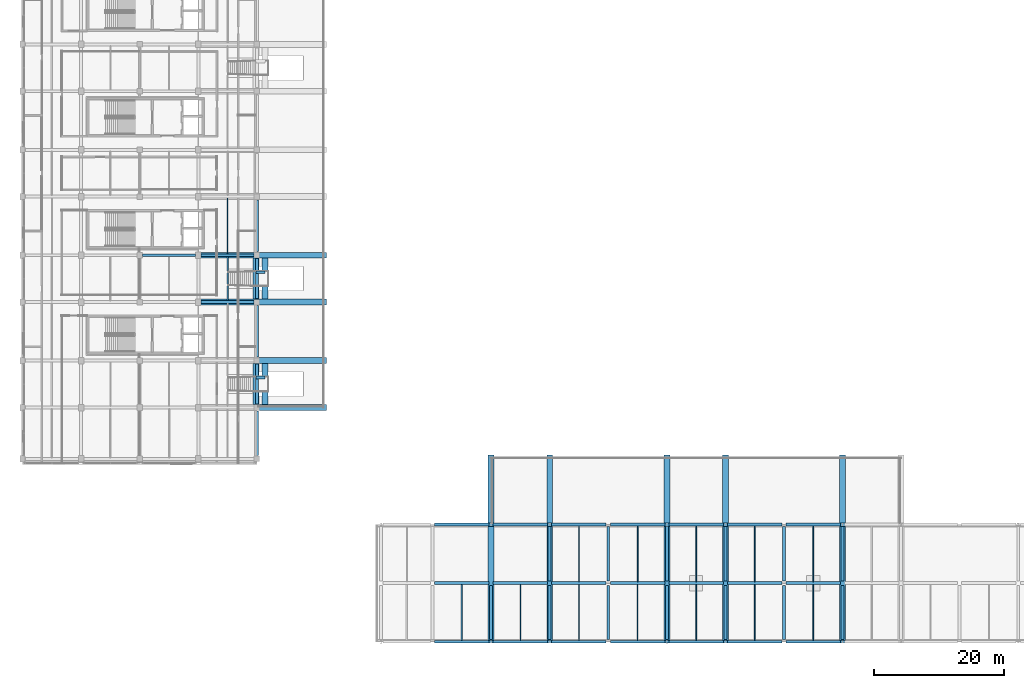
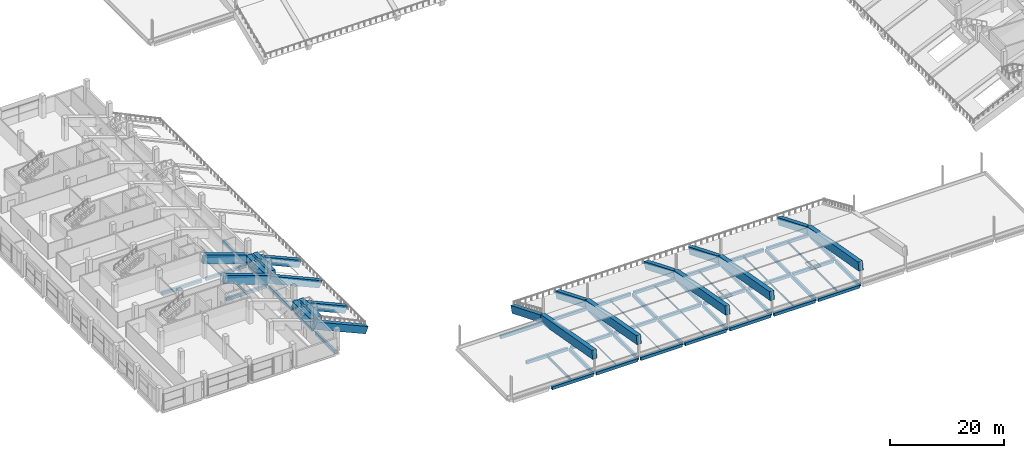
# One storey, part 24 of 66: 78 beams.
"""IFC4 building model written with IfcOpenShell, lengths in metres."""

from ifc_helpers import new_model, si_unit, direction, frame, origin, origin_2d, place, context, subcontext, project, spatial, rectangle, hollow_rectangle, i_section, extrude, material, material_profile, profile_set, type_object, element, save


model = new_model("IFC4")

# Units and contexts
model_context = context("Model", 3, precision=1e-05, world=origin(), true_north=direction((0.0, 1.0)))
body_context = subcontext(model_context, "Body", "Model", "MODEL_VIEW")
ifc_project = project(units=[si_unit("LENGTHUNIT", "METRE"), si_unit("AREAUNIT", "SQUARE_METRE"), si_unit("VOLUMEUNIT", "CUBIC_METRE"), si_unit("PLANEANGLEUNIT", "RADIAN"), si_unit("MASSUNIT", "GRAM", prefix="KILO"), si_unit("THERMODYNAMICTEMPERATUREUNIT", "KELVIN"), si_unit("POWERUNIT", "WATT")], contexts=[model_context])

# Site, building, storey
site_placement = place(None, origin())
site = spatial("IfcSite", under=ifc_project, at=site_placement, CompositionType="ELEMENT")
building_placement = place(site_placement, origin())
building = spatial("IfcBuilding", under=site, at=building_placement, Name="Sindhuravela Promenade Stadium", CompositionType="ELEMENT")
storey_placement = place(building_placement, frame((0.0, 0.0, 19.199951171875)))
storey = spatial("IfcBuildingStorey", under=building, at=storey_placement, Name="L04", CompositionType="ELEMENT", Elevation=19.199951171875)

# Beams
ifc_material_1 = material(Name="Concrete M40", Category="concrete")
ifc_material_profile_1 = material_profile(ifc_material_1, rectangle(XDim=0.449951171875, YDim=0.64990234375, at=origin_2d()), Name="RC 450x650")
ifc_profile_set_1 = profile_set([ifc_material_profile_1], Name="Concrete M40")
beam_type_1 = type_object("IfcBeamType", Name="RC-BM-450x650", PredefinedType="T_BEAM", material=ifc_profile_set_1)
for number, where, z_axis, x_axis, name in (
    (1, (27.43994140625, 61.199951171875, -0.64501953125), (1.0, 0.0, 0.0), (0.0, 1.0, 0.0), "Primary girder GB08 WEST L04"),
    (2, (18.43994140625, 68.39990234375, -0.64501953125), (1.0, 0.0, 0.0), (0.0, 1.0, 0.0), "Primary girder GB08 WEST L04"),
    (3, (27.43994140625, 68.39990234375, -0.64501953125), (1.0, 0.0, 0.0), (0.0, 1.0, 0.0), "Primary girder GB08 WEST L04"),
):
    element("IfcBeam", number, at=place(storey_placement, frame(where, z_axis=z_axis, x_axis=x_axis)), inside=storey, type_object=beam_type_1, Name=name, PredefinedType="T_BEAM", context=body_context, shape_type="SweptSolid", body=[
        extrude(rectangle(XDim=0.449951171875, YDim=0.64990234375, at=origin_2d()), origin(), (0.0, 0.0, 1.0), 8.1201171875),
    ])
for number, where, z_axis, x_axis, name in (
    (4, (63.31494140625, 9.0, -0.570068359375), (1.0, 0.0, 0.0), (0.0, 1.0, 0.0), "Primary girder GB08 SOUTH L04"),
    (5, (72.31494140625, 9.0, -0.570068359375), (1.0, 0.0, 0.0), (0.0, 1.0, 0.0), "Primary girder GB08 SOUTH L04"),
    (6, (81.31494140625, 9.0, -0.570068359375), (1.0, 0.0, 0.0), (0.0, 1.0, 0.0), "Primary girder GB08 SOUTH L04"),
    (7, (90.31494140625, 9.0, -0.570068359375), (1.0, 0.0, 0.0), (0.0, 1.0, 0.0), "Primary girder GB08 SOUTH L04"),
    (8, (99.31494140625, 9.0, -0.570068359375), (1.0, 0.0, 0.0), (0.0, 1.0, 0.0), "Primary girder GB08 SOUTH L04"),
    (9, (108.31494140625, 9.0, -0.570068359375), (1.0, 0.0, 0.0), (0.0, 1.0, 0.0), "Primary girder GB08 SOUTH L04"),
    (10, (117.31494140625, 9.0, -0.570068359375), (1.0, 0.0, 0.0), (0.0, 1.0, 0.0), "Primary girder GB08 SOUTH L04"),
    (11, (63.31494140625, 18.0, -0.570068359375), (1.0, 0.0, 0.0), (0.0, 1.0, 0.0), "Primary girder GB08 SOUTH L04"),
    (12, (72.31494140625, 18.0, -0.570068359375), (1.0, 0.0, 0.0), (0.0, 1.0, 0.0), "Primary girder GB08 SOUTH L04"),
    (13, (81.31494140625, 18.0, -0.570068359375), (1.0, 0.0, 0.0), (0.0, 1.0, 0.0), "Primary girder GB08 SOUTH L04"),
    (14, (90.31494140625, 18.0, -0.570068359375), (1.0, 0.0, 0.0), (0.0, 1.0, 0.0), "Primary girder GB08 SOUTH L04"),
    (15, (99.31494140625, 18.0, -0.570068359375), (1.0, 0.0, 0.0), (0.0, 1.0, 0.0), "Primary girder GB08 SOUTH L04"),
    (16, (108.31494140625, 18.0, -0.570068359375), (1.0, 0.0, 0.0), (0.0, 1.0, 0.0), "Primary girder GB08 SOUTH L04"),
    (17, (117.31494140625, 18.0, -0.570068359375), (1.0, 0.0, 0.0), (0.0, 1.0, 0.0), "Primary girder GB08 SOUTH L04"),
    (18, (63.31494140625, 27.0, -0.570068359375), (1.0, 0.0, 0.0), (0.0, 1.0, 0.0), "Primary girder GB08 SOUTH L04"),
    (19, (72.31494140625, 27.0, -0.570068359375), (1.0, 0.0, 0.0), (0.0, 1.0, 0.0), "Primary girder GB08 SOUTH L04"),
    (20, (81.31494140625, 27.0, -0.570068359375), (1.0, 0.0, 0.0), (0.0, 1.0, 0.0), "Primary girder GB08 SOUTH L04"),
    (21, (90.31494140625, 27.0, -0.570068359375), (1.0, 0.0, 0.0), (0.0, 1.0, 0.0), "Primary girder GB08 SOUTH L04"),
    (22, (99.31494140625, 27.0, -0.570068359375), (1.0, 0.0, 0.0), (0.0, 1.0, 0.0), "Primary girder GB08 SOUTH L04"),
    (23, (108.31494140625, 27.0, -0.570068359375), (1.0, 0.0, 0.0), (0.0, 1.0, 0.0), "Primary girder GB08 SOUTH L04"),
    (24, (117.31494140625, 27.0, -0.570068359375), (1.0, 0.0, 0.0), (0.0, 1.0, 0.0), "Primary girder GB08 SOUTH L04"),
):
    element("IfcBeam", number, at=place(storey_placement, frame(where, z_axis=z_axis, x_axis=x_axis)), inside=storey, type_object=beam_type_1, Name=name, PredefinedType="T_BEAM", context=body_context, shape_type="SweptSolid", body=[
        extrude(rectangle(XDim=0.449951171875, YDim=0.64990234375, at=origin_2d()), origin(), (0.0, 0.0, 1.0), 8.3701171875),
    ])
ifc_material_profile_2 = material_profile(ifc_material_1, rectangle(XDim=0.449951171875, YDim=0.699951171875, at=origin_2d()), Name="RC 450x700")
ifc_profile_set_2 = profile_set([ifc_material_profile_2], Name="Concrete M40")
beam_type_2 = type_object("IfcBeamType", Name="RC-BM-450x700", PredefinedType="BEAM", material=ifc_profile_set_2)
beam_1_placement = place(storey_placement, frame((36.0, 37.639892578125, -0.669921875), z_axis=(0.0, 1.0, 0.0), x_axis=(-1.0, 0.0, 0.0)))
element("IfcBeam", 25, at=beam_1_placement, inside=storey, type_object=beam_type_2, Name="Primary beam GB07 WEST L04", PredefinedType="BEAM", context=body_context, shape_type="SweptSolid", body=[
    extrude(rectangle(XDim=0.449951171875, YDim=0.699951171875, at=origin_2d()), origin(), (0.0, 0.0, 1.0), 6.820068359375),
])
beam_2_placement = place(storey_placement, frame((36.0, 45.5400390625, -0.669921875), z_axis=(0.0, 1.0, 0.0), x_axis=(-1.0, 0.0, 0.0)))
element("IfcBeam", 26, at=beam_2_placement, inside=storey, type_object=beam_type_2, Name="Primary beam GB07 WEST L04", PredefinedType="BEAM", context=body_context, shape_type="SweptSolid", body=[
    extrude(rectangle(XDim=0.449951171875, YDim=0.699951171875, at=origin_2d()), origin(), (0.0, 0.0, 1.0), 6.119873046875),
])
beam_3_placement = place(storey_placement, frame((36.0, 52.739990234375, -0.669921875), z_axis=(0.0, 1.0, 0.0), x_axis=(-1.0, 0.0, 0.0)))
element("IfcBeam", 27, at=beam_3_placement, inside=storey, type_object=beam_type_2, Name="Primary beam GB07 WEST L04", PredefinedType="BEAM", context=body_context, shape_type="SweptSolid", body=[
    extrude(rectangle(XDim=0.449951171875, YDim=0.699951171875, at=origin_2d()), origin(), (0.0, 0.0, 1.0), 7.919921875),
])
beam_4_placement = place(storey_placement, frame((36.0, 61.739990234375, -0.669921875), z_axis=(0.0, 1.0, 0.0), x_axis=(-1.0, 0.0, 0.0)))
element("IfcBeam", 28, at=beam_4_placement, inside=storey, type_object=beam_type_2, Name="Primary beam GB07 WEST L04", PredefinedType="BEAM", context=body_context, shape_type="SweptSolid", body=[
    extrude(rectangle(XDim=0.449951171875, YDim=0.699951171875, at=origin_2d()), origin(), (0.0, 0.0, 1.0), 6.1201171875),
])
beam_5_placement = place(storey_placement, frame((36.0, 68.93994140625, -0.669921875), z_axis=(0.0, 1.0, 0.0), x_axis=(-1.0, 0.0, 0.0)))
element("IfcBeam", 29, at=beam_5_placement, inside=storey, type_object=beam_type_2, Name="Primary beam GB07 WEST L04", PredefinedType="BEAM", context=body_context, shape_type="SweptSolid", body=[
    extrude(rectangle(XDim=0.449951171875, YDim=0.699951171875, at=origin_2d()), origin(), (0.0, 0.0, 1.0), 7.920166015625),
])
for number, where, z_axis, x_axis, name in (
    (30, (72.0, 9.31494140625, -0.594970703125), (0.0, 1.0, 0.0), (-1.0, 0.0, 0.0), "Primary beam GB07 SOUTH L04"),
    (31, (81.0, 9.31494140625, -0.594970703125), (0.0, 1.0, 0.0), (-1.0, 0.0, 0.0), "Primary beam GB07 SOUTH L04"),
    (32, (81.0, 18.31494140625, -0.594970703125), (0.0, 1.0, 0.0), (-1.0, 0.0, 0.0), "Primary beam GB07 SOUTH L04"),
    (33, (90.0, 9.31494140625, -0.594970703125), (0.0, 1.0, 0.0), (-1.0, 0.0, 0.0), "Primary beam GB07 SOUTH L04"),
    (34, (90.0, 18.31494140625, -0.594970703125), (0.0, 1.0, 0.0), (-1.0, 0.0, 0.0), "Primary beam GB07 SOUTH L04"),
    (35, (99.0, 9.31494140625, -0.594970703125), (0.0, 1.0, 0.0), (-1.0, 0.0, 0.0), "Primary beam GB07 SOUTH L04"),
    (36, (99.0, 18.31494140625, -0.594970703125), (0.0, 1.0, 0.0), (-1.0, 0.0, 0.0), "Primary beam GB07 SOUTH L04"),
    (37, (108.0, 9.31494140625, -0.594970703125), (0.0, 1.0, 0.0), (-1.0, 0.0, 0.0), "Primary beam GB07 SOUTH L04"),
    (38, (108.0, 18.31494140625, -0.594970703125), (0.0, 1.0, 0.0), (-1.0, 0.0, 0.0), "Primary beam GB07 SOUTH L04"),
    (39, (117.0, 9.31494140625, -0.594970703125), (0.0, 1.0, 0.0), (-1.0, 0.0, 0.0), "Primary beam GB07 SOUTH L04"),
    (40, (117.0, 18.31494140625, -0.594970703125), (0.0, 1.0, 0.0), (-1.0, 0.0, 0.0), "Primary beam GB07 SOUTH L04"),
    (41, (126.0, 9.31494140625, -0.594970703125), (0.0, 1.0, 0.0), (-1.0, 0.0, 0.0), "Primary beam GB07 SOUTH L04"),
    (42, (126.0, 18.31494140625, -0.594970703125), (0.0, 1.0, 0.0), (-1.0, 0.0, 0.0), "Primary beam GB07 SOUTH L04"),
):
    element("IfcBeam", number, at=place(storey_placement, frame(where, z_axis=z_axis, x_axis=x_axis)), inside=storey, type_object=beam_type_2, Name=name, PredefinedType="BEAM", context=body_context, shape_type="SweptSolid", body=[
        extrude(rectangle(XDim=0.449951171875, YDim=0.699951171875, at=origin_2d()), origin(), (0.0, 0.0, 1.0), 8.3701171875),
    ])
for number, where, z_axis, x_axis, name in (
    (43, (35.8798828125, 65.780029296875, 1.505126953125), (1.0, 0.0, 0.0), (0.0, 1.0, 0.0), "Vomitory VS13 landing edge stringer"),
    (44, (35.8798828125, 49.580078125, 1.505126953125), (1.0, 0.0, 0.0), (0.0, 1.0, 0.0), "Vomitory CS01 landing edge stringer"),
):
    element("IfcBeam", number, at=place(storey_placement, frame(where, z_axis=z_axis, x_axis=x_axis)), inside=storey, type_object=beam_type_2, Name=name, PredefinedType="BEAM", context=body_context, shape_type="SweptSolid", body=[
        extrude(rectangle(XDim=0.449951171875, YDim=0.699951171875, at=origin_2d()), origin(), (0.0, 0.0, 1.0), 1.35009765625),
    ])
ifc_material_2 = material(Name="Concrete M50", Category="concrete")
ifc_material_profile_3 = material_profile(ifc_material_2, rectangle(XDim=0.89990234375, YDim=1.5, at=origin_2d()), Name="RC 900x1500")
ifc_profile_set_3 = profile_set([ifc_material_profile_3], Name="Concrete M50")
beam_type_3 = type_object("IfcBeamType", Name="RC-RK-900x1500", PredefinedType="USERDEFINED", material=ifc_profile_set_3)
for number, where, z_axis, x_axis, name in (
    (45, (36.0, 45.0, 0.75), (0.9145386978691881, 0.0, -0.40449841791993457), (0.0, 1.0, 0.0), "Upper cantilevered raker RK02 West 51"),
    (46, (36.0, 52.199951171875, 0.75), (0.9145386978691881, 0.0, -0.40449841791993457), (0.0, 1.0, 0.0), "Upper cantilevered raker RK02 West 53"),
    (47, (36.0, 61.199951171875, 0.75), (0.9145386978691881, 0.0, -0.40449841791993457), (0.0, 1.0, 0.0), "Upper cantilevered raker RK02 West 55"),
    (48, (36.0, 68.39990234375, 0.75), (0.9145386978691881, 0.0, -0.40449841791993457), (0.0, 1.0, 0.0), "Upper cantilevered raker RK02 West 57"),
):
    element("IfcBeam", number, at=place(storey_placement, frame(where, z_axis=z_axis, x_axis=x_axis)), inside=storey, type_object=beam_type_3, Name=name, ObjectType="RAKER", PredefinedType="USERDEFINED", context=body_context, shape_type="SweptSolid", body=[
        extrude(rectangle(XDim=0.89990234375, YDim=1.5, at=origin_2d()), origin(), (0.0, 0.0, 1.0), 11.371826171875),
    ])
for number, where, z_axis, x_axis, name in (
    (49, (72.0, 27.0, 0.400146484375), (0.0, 0.9256874309297272, -0.3782892811311491), (-1.0, 0.0, 0.0), "Upper cantilevered raker RK02 South 71"),
    (50, (81.0, 27.0, 0.400146484375), (0.0, 0.9256874309297272, -0.3782892811311491), (-1.0, 0.0, 0.0), "Upper cantilevered raker RK02 South 73"),
    (51, (99.0, 27.0, 0.400146484375), (0.0, 0.9256874309297272, -0.3782892811311491), (-1.0, 0.0, 0.0), "Upper cantilevered raker RK02 South 75"),
    (52, (108.0, 27.0, 0.400146484375), (0.0, 0.9256874309297272, -0.3782892811311491), (-1.0, 0.0, 0.0), "Upper cantilevered raker RK02 South 77"),
    (53, (126.0, 27.0, 0.400146484375), (0.0, 0.9256874309297272, -0.3782892811311491), (-1.0, 0.0, 0.0), "Upper cantilevered raker RK02 South 79"),
):
    element("IfcBeam", number, at=place(storey_placement, frame(where, z_axis=z_axis, x_axis=x_axis)), inside=storey, type_object=beam_type_3, Name=name, ObjectType="RAKER", PredefinedType="USERDEFINED", context=body_context, shape_type="SweptSolid", body=[
        extrude(rectangle(XDim=0.89990234375, YDim=1.5, at=origin_2d()), origin(), (0.0, 0.0, 1.0), 11.23486328125),
    ])
ifc_material_profile_4 = material_profile(ifc_material_2, rectangle(XDim=0.89990234375, YDim=1.800048828125, at=origin_2d()), Name="RC 900x1800")
ifc_profile_set_4 = profile_set([ifc_material_profile_4], Name="Concrete M50")
beam_type_4 = type_object("IfcBeamType", Name="RC-RK-900x1800", PredefinedType="USERDEFINED", material=ifc_profile_set_4)
for number, where, z_axis, x_axis, name in (
    (54, (27.0, 61.199951171875, 3.949951171875), (0.9422163038291221, 0.0, -0.3350051295108589), (0.0, 1.0, 0.0), "Upper raker back-span RK01 West 55"),
    (55, (27.0, 68.39990234375, 3.949951171875), (0.9422163038291221, 0.0, -0.3350051295108589), (0.0, 1.0, 0.0), "Upper raker back-span RK01 West 57"),
):
    element("IfcBeam", number, at=place(storey_placement, frame(where, z_axis=z_axis, x_axis=x_axis)), inside=storey, type_object=beam_type_4, Name=name, ObjectType="RAKER", PredefinedType="USERDEFINED", context=body_context, shape_type="SweptSolid", body=[
        extrude(rectangle(XDim=0.89990234375, YDim=1.800048828125, at=origin_2d()), origin(), (0.0, 0.0, 1.0), 9.552001953125),
    ])
for number, where, z_axis, x_axis, name in (
    (56, (72.0, 9.0, 3.60009765625), (0.0, 0.9845629680444814, -0.17503074574325925), (-1.0, 0.0, 0.0), "Upper raker back-span RK01 South 71"),
    (57, (81.0, 9.0, 3.60009765625), (0.0, 0.9845629680444814, -0.17503074574325925), (-1.0, 0.0, 0.0), "Upper raker back-span RK01 South 73"),
    (58, (99.0, 9.0, 3.60009765625), (0.0, 0.9845629680444814, -0.17503074574325925), (-1.0, 0.0, 0.0), "Upper raker back-span RK01 South 75"),
    (59, (108.0, 9.0, 3.60009765625), (0.0, 0.9845629680444814, -0.17503074574325925), (-1.0, 0.0, 0.0), "Upper raker back-span RK01 South 77"),
    (60, (126.0, 9.0, 3.60009765625), (0.0, 0.9845629680444814, -0.17503074574325925), (-1.0, 0.0, 0.0), "Upper raker back-span RK01 South 79"),
):
    element("IfcBeam", number, at=place(storey_placement, frame(where, z_axis=z_axis, x_axis=x_axis)), inside=storey, type_object=beam_type_4, Name=name, ObjectType="RAKER", PredefinedType="USERDEFINED", context=body_context, shape_type="SweptSolid", body=[
        extrude(rectangle(XDim=0.89990234375, YDim=1.800048828125, at=origin_2d()), origin(), (0.0, 0.0, 1.0), 18.2822265625),
    ])
for number, where, z_axis, x_axis, name in (
    (61, (35.8798828125, 61.639892578125, 0.955078125), (0.0, 1.0, 0.0), (-1.0, 0.0, 0.0), "Vomitory VS13 landing trimmer beam 1"),
    (62, (37.22998046875, 61.639892578125, 0.955078125), (0.0, 1.0, 0.0), (-1.0, 0.0, 0.0), "Vomitory VS13 landing trimmer beam 2"),
    (63, (35.8798828125, 45.43994140625, 0.955078125), (0.0, 1.0, 0.0), (-1.0, 0.0, 0.0), "Vomitory CS01 landing trimmer beam 1"),
    (64, (37.22998046875, 45.43994140625, 0.955078125), (0.0, 1.0, 0.0), (-1.0, 0.0, 0.0), "Vomitory CS01 landing trimmer beam 2"),
):
    element("IfcBeam", number, at=place(storey_placement, frame(where, z_axis=z_axis, x_axis=x_axis)), inside=storey, type_object=beam_type_4, Name=name, ObjectType="RAKER", PredefinedType="USERDEFINED", context=body_context, shape_type="SweptSolid", body=[
        extrude(rectangle(XDim=0.89990234375, YDim=1.800048828125, at=origin_2d()), origin(), (0.0, 0.0, 1.0), 6.320068359375),
    ])
ifc_material_3 = material(Name="Steel E350 (IS 2062 E350BR)", Category="steel")
ifc_material_profile_5 = material_profile(ifc_material_3, hollow_rectangle(XDim=0.10009765625, YDim=0.199951171875, WallThickness=0.008056640625, at=origin_2d()), Name="RHS 200x100x8")
ifc_profile_set_5 = profile_set([ifc_material_profile_5], Name="Steel E350 (IS 2062 E350BR)")
beam_type_5 = type_object("IfcBeamType", Name="ST-BM-LNT200", PredefinedType="LINTEL", material=ifc_profile_set_5)
beam_6_placement = place(storey_placement, frame((76.5, 9.215087890625, -0.344970703125), z_axis=(0.0, 1.0, 0.0), x_axis=(-1.0, 0.0, 0.0)))
element("IfcBeam", 65, at=beam_6_placement, inside=storey, type_object=beam_type_5, Name="Secondary floor joist LN01 SOUTH L04", PredefinedType="LINTEL", context=body_context, shape_type="SweptSolid", body=[
    extrude(hollow_rectangle(XDim=0.10009765625, YDim=0.199951171875, WallThickness=0.008056640625, at=origin_2d()), origin(), (0.0, 0.0, 1.0), 8.56982421875),
])
ifc_material_profile_6 = material_profile(ifc_material_3, i_section(OverallWidth=0.10009765625, OverallDepth=0.199951171875, WebThickness=0.005615234375, FlangeThickness=0.0107421875, FilletRadius=0.010986328125, at=origin_2d()), Name="ISMB 200")
ifc_profile_set_6 = profile_set([ifc_material_profile_6], Name="Steel E350 (IS 2062 E350BR)")
beam_type_6 = type_object("IfcBeamType", Name="ST-BM-MB200", PredefinedType="JOIST", material=ifc_profile_set_6)
beam_7_placement = place(storey_placement, frame((31.5, 68.614990234375, -0.419921875), z_axis=(0.0, 1.0, 0.0), x_axis=(-1.0, 0.0, 0.0)))
element("IfcBeam", 66, at=beam_7_placement, inside=storey, type_object=beam_type_6, Name="Secondary floor joist SB01 WEST L04", PredefinedType="JOIST", context=body_context, shape_type="SweptSolid", body=[
    extrude(i_section(OverallWidth=0.10009765625, OverallDepth=0.199951171875, WebThickness=0.005615234375, FlangeThickness=0.0107421875, FilletRadius=0.010986328125, at=origin_2d()), origin(), (0.0, 0.0, 1.0), 8.570068359375),
])
beam_8_placement = place(storey_placement, frame((85.5, 9.215087890625, -0.344970703125), z_axis=(0.0, 1.0, 0.0), x_axis=(-1.0, 0.0, 0.0)))
element("IfcBeam", 67, at=beam_8_placement, inside=storey, type_object=beam_type_6, Name="Secondary floor joist SB01 SOUTH L04", PredefinedType="JOIST", context=body_context, shape_type="SweptSolid", body=[
    extrude(i_section(OverallWidth=0.10009765625, OverallDepth=0.199951171875, WebThickness=0.005615234375, FlangeThickness=0.0107421875, FilletRadius=0.010986328125, at=origin_2d()), origin(), (0.0, 0.0, 1.0), 8.56982421875),
])
ifc_material_profile_7 = material_profile(ifc_material_3, i_section(OverallWidth=0.125, OverallDepth=0.25, WebThickness=0.0068359375, FlangeThickness=0.012451171875, FilletRadius=0.012939453125, at=origin_2d()), Name="ISMB 250")
ifc_profile_set_7 = profile_set([ifc_material_profile_7], Name="Steel E350 (IS 2062 E350BR)")
beam_type_7 = type_object("IfcBeamType", Name="ST-BM-MB250", PredefinedType="JOIST", material=ifc_profile_set_7)
for number, where, z_axis, x_axis, name in (
    (68, (94.5, 9.215087890625, -0.369873046875), (0.0, 1.0, 0.0), (-1.0, 0.0, 0.0), "Secondary floor joist SB02 SOUTH L04"),
    (69, (85.5, 18.215087890625, -0.369873046875), (0.0, 1.0, 0.0), (-1.0, 0.0, 0.0), "Secondary floor joist SB02 SOUTH L04"),
):
    element("IfcBeam", number, at=place(storey_placement, frame(where, z_axis=z_axis, x_axis=x_axis)), inside=storey, type_object=beam_type_7, Name=name, PredefinedType="JOIST", context=body_context, shape_type="SweptSolid", body=[
        extrude(i_section(OverallWidth=0.125, OverallDepth=0.25, WebThickness=0.0068359375, FlangeThickness=0.012451171875, FilletRadius=0.012939453125, at=origin_2d()), origin(), (0.0, 0.0, 1.0), 8.56982421875),
    ])
ifc_material_profile_8 = material_profile(ifc_material_3, i_section(OverallWidth=0.139892578125, OverallDepth=0.300048828125, WebThickness=0.0078125, FlangeThickness=0.01318359375, FilletRadius=0.013916015625, at=origin_2d()), Name="ISMB 300")
ifc_profile_set_8 = profile_set([ifc_material_profile_8], Name="Steel E350 (IS 2062 E350BR)")
beam_type_8 = type_object("IfcBeamType", Name="ST-BM-MB300", PredefinedType="JOIST", material=ifc_profile_set_8)
for number, where, z_axis, x_axis, name in (
    (70, (103.5, 9.215087890625, -0.39501953125), (0.0, 1.0, 0.0), (-1.0, 0.0, 0.0), "Secondary floor joist SB03 SOUTH L04"),
    (71, (94.5, 18.215087890625, -0.39501953125), (0.0, 1.0, 0.0), (-1.0, 0.0, 0.0), "Secondary floor joist SB03 SOUTH L04"),
):
    element("IfcBeam", number, at=place(storey_placement, frame(where, z_axis=z_axis, x_axis=x_axis)), inside=storey, type_object=beam_type_8, Name=name, PredefinedType="JOIST", context=body_context, shape_type="SweptSolid", body=[
        extrude(i_section(OverallWidth=0.139892578125, OverallDepth=0.300048828125, WebThickness=0.0078125, FlangeThickness=0.01318359375, FilletRadius=0.013916015625, at=origin_2d()), origin(), (0.0, 0.0, 1.0), 8.56982421875),
    ])
ifc_material_profile_9 = material_profile(ifc_material_3, i_section(OverallWidth=0.139892578125, OverallDepth=0.35009765625, WebThickness=0.008056640625, FlangeThickness=0.01416015625, FilletRadius=0.013916015625, at=origin_2d()), Name="ISMB 350")
ifc_profile_set_9 = profile_set([ifc_material_profile_9], Name="Steel E350 (IS 2062 E350BR)")
beam_type_9 = type_object("IfcBeamType", Name="ST-BM-MB350", PredefinedType="JOIST", material=ifc_profile_set_9)
for number, where, z_axis, x_axis, name in (
    (72, (112.5, 9.215087890625, -0.419921875), (0.0, 1.0, 0.0), (-1.0, 0.0, 0.0), "Secondary floor joist SB04 SOUTH L04"),
    (73, (103.5, 18.215087890625, -0.419921875), (0.0, 1.0, 0.0), (-1.0, 0.0, 0.0), "Secondary floor joist SB04 SOUTH L04"),
):
    element("IfcBeam", number, at=place(storey_placement, frame(where, z_axis=z_axis, x_axis=x_axis)), inside=storey, type_object=beam_type_9, Name=name, PredefinedType="JOIST", context=body_context, shape_type="SweptSolid", body=[
        extrude(i_section(OverallWidth=0.139892578125, OverallDepth=0.35009765625, WebThickness=0.008056640625, FlangeThickness=0.01416015625, FilletRadius=0.013916015625, at=origin_2d()), origin(), (0.0, 0.0, 1.0), 8.56982421875),
    ])
ifc_material_profile_10 = material_profile(ifc_material_3, i_section(OverallWidth=0.139892578125, OverallDepth=0.39990234375, WebThickness=0.0087890625, FlangeThickness=0.01611328125, FilletRadius=0.013916015625, at=origin_2d()), Name="ISMB 400")
ifc_profile_set_10 = profile_set([ifc_material_profile_10], Name="Steel E350 (IS 2062 E350BR)")
beam_type_10 = type_object("IfcBeamType", Name="ST-BM-MB400", PredefinedType="BEAM", material=ifc_profile_set_10)
for number, where, z_axis, x_axis, name in (
    (74, (121.5, 9.215087890625, -0.445068359375), (0.0, 1.0, 0.0), (-1.0, 0.0, 0.0), "Secondary floor joist SB05 SOUTH L04"),
    (75, (112.5, 18.215087890625, -0.445068359375), (0.0, 1.0, 0.0), (-1.0, 0.0, 0.0), "Secondary floor joist SB05 SOUTH L04"),
):
    element("IfcBeam", number, at=place(storey_placement, frame(where, z_axis=z_axis, x_axis=x_axis)), inside=storey, type_object=beam_type_10, Name=name, PredefinedType="BEAM", context=body_context, shape_type="SweptSolid", body=[
        extrude(i_section(OverallWidth=0.139892578125, OverallDepth=0.39990234375, WebThickness=0.0087890625, FlangeThickness=0.01611328125, FilletRadius=0.013916015625, at=origin_2d()), origin(), (0.0, 0.0, 1.0), 8.56982421875),
    ])
ifc_material_profile_11 = material_profile(ifc_material_3, i_section(OverallWidth=0.14990234375, OverallDepth=0.449951171875, WebThickness=0.009521484375, FlangeThickness=0.017333984375, FilletRadius=0.014892578125, at=origin_2d()), Name="ISMB 450")
ifc_profile_set_11 = profile_set([ifc_material_profile_11], Name="Steel E350 (IS 2062 E350BR)")
beam_type_11 = type_object("IfcBeamType", Name="ST-BM-MB450", PredefinedType="BEAM", material=ifc_profile_set_11)
beam_9_placement = place(storey_placement, frame((121.5, 18.215087890625, -0.469970703125), z_axis=(0.0, 1.0, 0.0), x_axis=(-1.0, 0.0, 0.0)))
element("IfcBeam", 76, at=beam_9_placement, inside=storey, type_object=beam_type_11, Name="Secondary floor joist SB06 SOUTH L04", PredefinedType="BEAM", context=body_context, shape_type="SweptSolid", body=[
    extrude(i_section(OverallWidth=0.14990234375, OverallDepth=0.449951171875, WebThickness=0.009521484375, FlangeThickness=0.017333984375, FilletRadius=0.014892578125, at=origin_2d()), origin(), (0.0, 0.0, 1.0), 8.56982421875),
])
ifc_material_profile_12 = material_profile(ifc_material_3, i_section(OverallWidth=0.2099609375, OverallDepth=0.60009765625, WebThickness=0.011962890625, FlangeThickness=0.020751953125, FilletRadius=0.02001953125, at=origin_2d()), Name="ISMB 600")
ifc_profile_set_12 = profile_set([ifc_material_profile_12], Name="Steel E350 (IS 2062 E350BR)")
beam_type_12 = type_object("IfcBeamType", Name="ST-BM-MB600", PredefinedType="BEAM", material=ifc_profile_set_12)
beam_10_placement = place(storey_placement, frame((31.5, 61.4150390625, -0.619873046875), z_axis=(0.0, 1.0, 0.0), x_axis=(-1.0, 0.0, 0.0)))
element("IfcBeam", 77, at=beam_10_placement, inside=storey, type_object=beam_type_12, Name="Secondary floor joist SB09 WEST L04", PredefinedType="BEAM", context=body_context, shape_type="SweptSolid", body=[
    extrude(i_section(OverallWidth=0.2099609375, OverallDepth=0.60009765625, WebThickness=0.011962890625, FlangeThickness=0.020751953125, FilletRadius=0.02001953125, at=origin_2d()), origin(), (0.0, 0.0, 1.0), 6.77001953125),
])
beam_11_placement = place(storey_placement, frame((67.5, 9.215087890625, -0.544921875), z_axis=(0.0, 1.0, 0.0), x_axis=(-1.0, 0.0, 0.0)))
element("IfcBeam", 78, at=beam_11_placement, inside=storey, type_object=beam_type_12, Name="Secondary floor joist SB09 SOUTH L04", PredefinedType="BEAM", context=body_context, shape_type="SweptSolid", body=[
    extrude(i_section(OverallWidth=0.2099609375, OverallDepth=0.60009765625, WebThickness=0.011962890625, FlangeThickness=0.020751953125, FilletRadius=0.02001953125, at=origin_2d()), origin(), (0.0, 0.0, 1.0), 8.56982421875),
])

save(model, "model.ifc")
